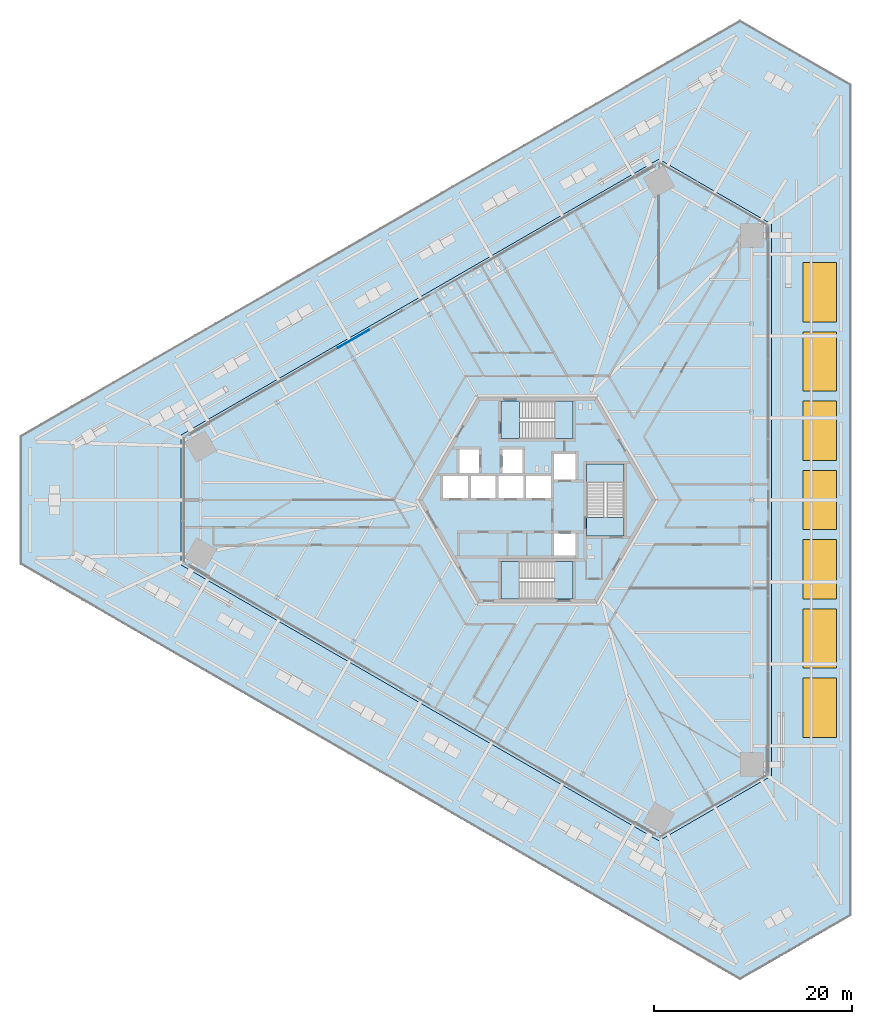
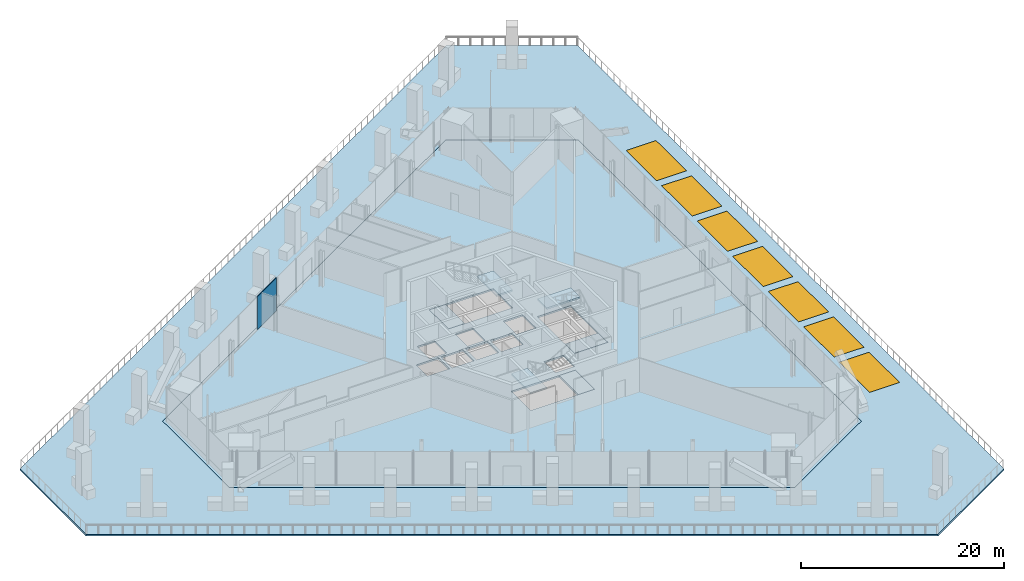
# One storey, part 22 of 38: 8 slabs, 7 windows, 1 plate, 7 openings, 4 elements without a shape of their own.
"""IFC4 building model written with IfcOpenShell, lengths in metres."""

from ifc_helpers import new_model, si_unit, direction, frame, origin, origin_2d, place, context, subcontext, project, spatial, polyline, rectangle, outline, extrude, source, transform, mapped, material, layer, layer_set, type_object, element, fill, aggregate, save


model = new_model("IFC4")

# Units and contexts
model_context = context("Model", 3, precision=1e-05, world=origin(), true_north=direction((0.0, 1.0)))
body_context = subcontext(model_context, "Body", "Model", "MODEL_VIEW")
ifc_project = project(units=[si_unit("LENGTHUNIT", "METRE"), si_unit("AREAUNIT", "SQUARE_METRE"), si_unit("VOLUMEUNIT", "CUBIC_METRE"), si_unit("PLANEANGLEUNIT", "RADIAN"), si_unit("MASSUNIT", "GRAM", prefix="KILO")], contexts=[model_context])

# Site, building, storey
site_placement = place(None, origin())
site = spatial("IfcSite", under=ifc_project, at=site_placement, CompositionType="ELEMENT")
building_placement = place(site_placement, origin())
building = spatial("IfcBuilding", under=site, at=building_placement, Name="Triune Harvest Tower", CompositionType="ELEMENT")
storey_placement = place(building_placement, frame((0.0, 0.0, 16.0)))
storey = spatial("IfcBuildingStorey", under=building, at=storey_placement, Name="L03", CompositionType="ELEMENT", Elevation=16.0)

# Slab, openings, windows
ifc_material_1 = material(Name="Concrete 40 MPa", Category="concrete")
ifc_layer_1 = layer(ifc_material_1, 0.199951171875)
ifc_layer_set_1 = layer_set([ifc_layer_1], Name="Concrete 40 MPa")
slab_type_1 = type_object("IfcSlabType", Name="TE-1 terrace slab 200", PredefinedType="FLOOR", material=ifc_layer_set_1)
slab_1_placement = place(storey_placement, frame((0.0, 0.0, -0.199951171875)))
slab_1 = element("IfcSlab", 1, at=slab_1_placement, inside=storey, type_object=slab_type_1, Name="Podium terrace slab 1", PredefinedType="FLOOR", context=body_context, shape_type="SweptSolid", body=[
    extrude(outline(polyline([(20.495849609375, -48.5), (-52.250244140625, -6.5), (-52.250244140625, 6.5), (20.495849609375, 48.5), (31.75439453125, 42.0), (31.75439453125, -42.0), (20.495849609375, -48.5)]), holes=[polyline([(23.67138671875, 27.8798828125), (12.30908203125, 34.43994140625), (-35.98046875, 6.56005859375), (-35.98046875, -6.56005859375), (12.30908203125, -34.43994140625), (23.67138671875, -27.8798828125), (23.67138671875, 27.8798828125)])]), origin(), (0.0, 0.0, 1.0), 0.199951171875),
])
opening_1_placement = place(slab_1_placement, frame((28.55419921875, -21.0, 0.0)))
opening_1 = element("IfcOpeningElement", 2, at=opening_1_placement, cuts=slab_1, Name="Opening RL-01", PredefinedType="OPENING", context=body_context, shape_type="SweptSolid", body=[
    extrude(rectangle(XDim=3.39990234375, YDim=6.0, at=origin_2d()), origin(), (0.0, 0.0, 1.0), 0.199951171875),
])
opening_2_placement = place(slab_1_placement, frame((28.55419921875, -14.0, 0.0)))
opening_2 = element("IfcOpeningElement", 3, at=opening_2_placement, cuts=slab_1, Name="Opening RL-02", PredefinedType="OPENING", context=body_context, shape_type="SweptSolid", body=[
    extrude(rectangle(XDim=3.39990234375, YDim=6.0, at=origin_2d()), origin(), (0.0, 0.0, 1.0), 0.199951171875),
])
opening_3_placement = place(slab_1_placement, frame((28.55419921875, -7.0, 0.0)))
opening_3 = element("IfcOpeningElement", 4, at=opening_3_placement, cuts=slab_1, Name="Opening RL-03", PredefinedType="OPENING", context=body_context, shape_type="SweptSolid", body=[
    extrude(rectangle(XDim=3.39990234375, YDim=6.0, at=origin_2d()), origin(), (0.0, 0.0, 1.0), 0.199951171875),
])
opening_4_placement = place(slab_1_placement, frame((28.55419921875, 0.0, 0.0)))
opening_4 = element("IfcOpeningElement", 5, at=opening_4_placement, cuts=slab_1, Name="Opening RL-04", PredefinedType="OPENING", context=body_context, shape_type="SweptSolid", body=[
    extrude(rectangle(XDim=3.39990234375, YDim=6.0, at=origin_2d()), origin(), (0.0, 0.0, 1.0), 0.199951171875),
])
opening_5_placement = place(slab_1_placement, frame((28.55419921875, 7.0, 0.0)))
opening_5 = element("IfcOpeningElement", 6, at=opening_5_placement, cuts=slab_1, Name="Opening RL-05", PredefinedType="OPENING", context=body_context, shape_type="SweptSolid", body=[
    extrude(rectangle(XDim=3.39990234375, YDim=6.0, at=origin_2d()), origin(), (0.0, 0.0, 1.0), 0.199951171875),
])
opening_6_placement = place(slab_1_placement, frame((28.55419921875, 14.0, 0.0)))
opening_6 = element("IfcOpeningElement", 7, at=opening_6_placement, cuts=slab_1, Name="Opening RL-06", PredefinedType="OPENING", context=body_context, shape_type="SweptSolid", body=[
    extrude(rectangle(XDim=3.39990234375, YDim=6.0, at=origin_2d()), origin(), (0.0, 0.0, 1.0), 0.199951171875),
])
opening_7_placement = place(slab_1_placement, frame((28.55419921875, 21.0, 0.0)))
opening_7 = element("IfcOpeningElement", 8, at=opening_7_placement, cuts=slab_1, Name="Opening RL-07", PredefinedType="OPENING", context=body_context, shape_type="SweptSolid", body=[
    extrude(rectangle(XDim=3.39990234375, YDim=6.0, at=origin_2d()), origin(), (0.0, 0.0, 1.0), 0.199951171875),
])
ifc_material_2 = material(Name="Glass", Category="glass")
window_type = type_object("IfcWindowType", Name="SK-1 rooflight", PartitioningType="SINGLE_PANEL", PredefinedType="SKYLIGHT", material=ifc_material_2)
window_1_placement = place(opening_1_placement, frame((0.0, 0.0, 0.14990234375)))
window_1 = element("IfcWindow", 9, at=window_1_placement, inside=storey, type_object=window_type, Name="Rooflight 1", OverallHeight=6.0, OverallWidth=3.39990234375, PartitioningType="SINGLE_PANEL", PredefinedType="SKYLIGHT", context=body_context, shape_type="SweptSolid", body=[
    extrude(rectangle(XDim=3.39990234375, YDim=6.0, at=origin_2d()), origin(), (0.0, 0.0, 1.0), 0.050048828125),
])
fill(opening_1, window_1)
window_2_placement = place(opening_2_placement, frame((0.0, 0.0, 0.14990234375)))
window_2 = element("IfcWindow", 10, at=window_2_placement, inside=storey, type_object=window_type, Name="Rooflight 2", OverallHeight=6.0, OverallWidth=3.39990234375, PartitioningType="SINGLE_PANEL", PredefinedType="SKYLIGHT", context=body_context, shape_type="SweptSolid", body=[
    extrude(rectangle(XDim=3.39990234375, YDim=6.0, at=origin_2d()), origin(), (0.0, 0.0, 1.0), 0.050048828125),
])
fill(opening_2, window_2)
window_3_placement = place(opening_3_placement, frame((0.0, 0.0, 0.14990234375)))
window_3 = element("IfcWindow", 11, at=window_3_placement, inside=storey, type_object=window_type, Name="Rooflight 3", OverallHeight=6.0, OverallWidth=3.39990234375, PartitioningType="SINGLE_PANEL", PredefinedType="SKYLIGHT", context=body_context, shape_type="SweptSolid", body=[
    extrude(rectangle(XDim=3.39990234375, YDim=6.0, at=origin_2d()), origin(), (0.0, 0.0, 1.0), 0.050048828125),
])
fill(opening_3, window_3)
window_4_placement = place(opening_4_placement, frame((0.0, 0.0, 0.14990234375)))
window_4 = element("IfcWindow", 12, at=window_4_placement, inside=storey, type_object=window_type, Name="Rooflight 4", OverallHeight=6.0, OverallWidth=3.39990234375, PartitioningType="SINGLE_PANEL", PredefinedType="SKYLIGHT", context=body_context, shape_type="SweptSolid", body=[
    extrude(rectangle(XDim=3.39990234375, YDim=6.0, at=origin_2d()), origin(), (0.0, 0.0, 1.0), 0.050048828125),
])
fill(opening_4, window_4)
window_5_placement = place(opening_5_placement, frame((0.0, 0.0, 0.14990234375)))
window_5 = element("IfcWindow", 13, at=window_5_placement, inside=storey, type_object=window_type, Name="Rooflight 5", OverallHeight=6.0, OverallWidth=3.39990234375, PartitioningType="SINGLE_PANEL", PredefinedType="SKYLIGHT", context=body_context, shape_type="SweptSolid", body=[
    extrude(rectangle(XDim=3.39990234375, YDim=6.0, at=origin_2d()), origin(), (0.0, 0.0, 1.0), 0.050048828125),
])
fill(opening_5, window_5)
window_6_placement = place(opening_6_placement, frame((0.0, 0.0, 0.14990234375)))
window_6 = element("IfcWindow", 14, at=window_6_placement, inside=storey, type_object=window_type, Name="Rooflight 6", OverallHeight=6.0, OverallWidth=3.39990234375, PartitioningType="SINGLE_PANEL", PredefinedType="SKYLIGHT", context=body_context, shape_type="SweptSolid", body=[
    extrude(rectangle(XDim=3.39990234375, YDim=6.0, at=origin_2d()), origin(), (0.0, 0.0, 1.0), 0.050048828125),
])
fill(opening_6, window_6)
window_7_placement = place(opening_7_placement, frame((0.0, 0.0, 0.14990234375)))
window_7 = element("IfcWindow", 15, at=window_7_placement, inside=storey, type_object=window_type, Name="Rooflight 7", OverallHeight=6.0, OverallWidth=3.39990234375, PartitioningType="SINGLE_PANEL", PredefinedType="SKYLIGHT", context=body_context, shape_type="SweptSolid", body=[
    extrude(rectangle(XDim=3.39990234375, YDim=6.0, at=origin_2d()), origin(), (0.0, 0.0, 1.0), 0.050048828125),
])
fill(opening_7, window_7)

# Slab
ifc_material_3 = material(Name="Concrete 40 MPa", Category="concrete")
ifc_layer_2 = layer(ifc_material_3, 0.199951171875)
ifc_layer_set_2 = layer_set([ifc_layer_2], Name="Concrete 40 MPa")
slab_type_2 = type_object("IfcSlabType", Name="SL-3 Composite floor slab 200", PredefinedType="FLOOR", material=ifc_layer_set_2)
shared_shape_1 = source(origin(), body_context, "Body", "SweptSolid", [
    extrude(outline(polyline([(23.67138671875, -27.8798828125), (23.67138671875, 27.8798828125), (12.30908203125, 34.43994140625), (-35.98046875, 6.56005859375), (-35.98046875, -6.56005859375), (12.30908203125, -34.43994140625), (23.67138671875, -27.8798828125)]), holes=[polyline([(-7.0, 0.2099609375), (-7.0, 2.409912109375), (-9.5, 2.409912109375), (-9.5, 0.2099609375), (-7.0, 0.2099609375)]), polyline([(-4.199951171875, 0.2099609375), (-4.199951171875, 2.409912109375), (-6.699951171875, 2.409912109375), (-6.699951171875, 0.2099609375), (-4.199951171875, 0.2099609375)]), polyline([(-1.39990234375, 0.2099609375), (-1.39990234375, 2.409912109375), (-3.89990234375, 2.409912109375), (-3.89990234375, 0.2099609375), (-1.39990234375, 0.2099609375)]), polyline([(1.39990234375, 0.2099609375), (1.39990234375, 2.409912109375), (-1.10009765625, 2.409912109375), (-1.10009765625, 0.2099609375), (1.39990234375, 0.2099609375)]), polyline([(3.89990234375, 2.06005859375), (3.89990234375, 4.659912109375), (1.699951171875, 4.659912109375), (1.699951171875, 2.06005859375), (3.89990234375, 2.06005859375)]), polyline([(3.89990234375, -5.590087890625), (3.89990234375, -3.389892578125), (1.699951171875, -3.389892578125), (1.699951171875, -5.590087890625), (3.89990234375, -5.590087890625)]), polyline([(-5.85009765625, 2.7099609375), (-5.85009765625, 5.110107421875), (-7.85009765625, 5.110107421875), (-7.85009765625, 2.7099609375), (-5.85009765625, 2.7099609375)]), polyline([(-1.5, 2.7099609375), (-1.5, 5.110107421875), (-3.5, 5.110107421875), (-3.5, 2.7099609375), (-1.5, 2.7099609375)]), polyline([(3.64990234375, 6.18994140625), (3.64990234375, 9.989990234375), (-3.64990234375, 9.989990234375), (-3.64990234375, 6.18994140625), (3.64990234375, 6.18994140625)]), polyline([(3.64990234375, -9.989990234375), (3.64990234375, -6.18994140625), (-3.64990234375, -6.18994140625), (-3.64990234375, -9.989990234375), (3.64990234375, -9.989990234375)]), polyline([(8.800048828125, -3.64990234375), (8.800048828125, 3.64990234375), (5.0, 3.64990234375), (5.0, -3.64990234375), (8.800048828125, -3.64990234375)])]), origin(), (0.0, 0.0, 1.0), 0.199951171875),
])
slab_2_placement = place(storey_placement, frame((0.0, 0.0, -0.199951171875)))
element("IfcSlab", 16, at=slab_2_placement, inside=storey, type_object=slab_type_2, Name="slab/L03/1", PredefinedType="FLOOR", context=body_context, shape_type="MappedRepresentation", body=[
    mapped(shared_shape_1, transform((0.0, 0.0, 0.0), scale=1.0)),
])

# Stair, slabs
ifc_material_4 = material(Name="Concrete 40 MPa", Category="concrete")
stair_type = type_object("IfcStairType", Name="Exit stair 1800 half turn", PredefinedType="HALF_TURN_STAIR", material=ifc_material_4)
stair_1_placement = place(storey_placement, origin())
stair_1 = element("IfcStair", 17, at=stair_1_placement, inside=storey, type_object=stair_type, Name="Exit stair north", PredefinedType="HALF_TURN_STAIR")
ifc_material_5 = material(Name="Concrete 40 MPa", Category="concrete")
ifc_layer_3 = layer(ifc_material_5, 0.199951171875)
ifc_layer_set_3 = layer_set([ifc_layer_3], Name="Concrete 40 MPa")
slab_type_3 = type_object("IfcSlabType", Name="Stair landing 200", PredefinedType="LANDING", material=ifc_layer_set_3)
shared_shape_2 = source(origin(), body_context, "Body", "SweptSolid", [
    extrude(outline(polyline([(-3.64990234375, 6.18994140625), (-1.780029296875, 6.18994140625), (-1.780029296875, 9.989990234375), (-3.64990234375, 9.989990234375), (-3.64990234375, 6.18994140625)])), origin(), (0.0, 0.0, 1.0), 0.199951171875),
])
slab_3_placement = place(storey_placement, frame((0.0, 0.0, -0.199951171875)))
slab_3 = element("IfcSlab", 18, at=slab_3_placement, type_object=slab_type_3, Name="ST-1 landing 1", PredefinedType="LANDING", context=body_context, shape_type="MappedRepresentation", body=[
    mapped(shared_shape_2, transform((0.0, 0.0, 0.0), scale=1.0)),
])
shared_shape_3 = source(origin(), body_context, "Body", "SweptSolid", [
    extrude(outline(polyline([(1.81005859375, 6.18994140625), (3.64990234375, 6.18994140625), (3.64990234375, 9.989990234375), (1.81005859375, 9.989990234375), (1.81005859375, 6.18994140625)])), origin(), (0.0, 0.0, 1.0), 0.199951171875),
])
slab_4_placement = place(storey_placement, frame((0.0, 0.0, 1.949951171875)))
slab_4 = element("IfcSlab", 19, at=slab_4_placement, type_object=slab_type_3, Name="ST-1 landing 2", PredefinedType="LANDING", context=body_context, shape_type="MappedRepresentation", body=[
    mapped(shared_shape_3, transform((0.0, 0.0, 0.0), scale=1.0)),
])
aggregate(stair_1, [slab_3, slab_4])

stair_2_placement = place(storey_placement, origin())
stair_2 = element("IfcStair", 20, at=stair_2_placement, inside=storey, type_object=stair_type, Name="Exit stair south", PredefinedType="HALF_TURN_STAIR")
shared_shape_4 = source(origin(), body_context, "Body", "SweptSolid", [
    extrude(outline(polyline([(3.64990234375, -6.18994140625), (1.780029296875, -6.18994140625), (1.780029296875, -9.989990234375), (3.64990234375, -9.989990234375), (3.64990234375, -6.18994140625)])), origin(), (0.0, 0.0, 1.0), 0.199951171875),
])
slab_5_placement = place(storey_placement, frame((0.0, 0.0, -0.199951171875)))
slab_5 = element("IfcSlab", 21, at=slab_5_placement, type_object=slab_type_3, Name="ST-2 landing 1", PredefinedType="LANDING", context=body_context, shape_type="MappedRepresentation", body=[
    mapped(shared_shape_4, transform((0.0, 0.0, 0.0), scale=1.0)),
])
shared_shape_5 = source(origin(), body_context, "Body", "SweptSolid", [
    extrude(outline(polyline([(-1.81005859375, -6.18994140625), (-3.64990234375, -6.18994140625), (-3.64990234375, -9.989990234375), (-1.81005859375, -9.989990234375), (-1.81005859375, -6.18994140625)])), origin(), (0.0, 0.0, 1.0), 0.199951171875),
])
slab_6_placement = place(storey_placement, frame((0.0, 0.0, 1.949951171875)))
slab_6 = element("IfcSlab", 22, at=slab_6_placement, type_object=slab_type_3, Name="ST-2 landing 2", PredefinedType="LANDING", context=body_context, shape_type="MappedRepresentation", body=[
    mapped(shared_shape_5, transform((0.0, 0.0, 0.0), scale=1.0)),
])
aggregate(stair_2, [slab_5, slab_6])

stair_3_placement = place(storey_placement, origin())
stair_3 = element("IfcStair", 23, at=stair_3_placement, inside=storey, type_object=stair_type, Name="Exit stair east", PredefinedType="HALF_TURN_STAIR")
shared_shape_6 = source(origin(), body_context, "Body", "SweptSolid", [
    extrude(outline(polyline([(8.800048828125, -3.64990234375), (8.800048828125, -1.780029296875), (5.0, -1.780029296875), (5.0, -3.64990234375), (8.800048828125, -3.64990234375)])), origin(), (0.0, 0.0, 1.0), 0.199951171875),
])
slab_7_placement = place(storey_placement, frame((0.0, 0.0, -0.199951171875)))
slab_7 = element("IfcSlab", 24, at=slab_7_placement, type_object=slab_type_3, Name="ST-3 landing 1", PredefinedType="LANDING", context=body_context, shape_type="MappedRepresentation", body=[
    mapped(shared_shape_6, transform((0.0, 0.0, 0.0), scale=1.0)),
])
shared_shape_7 = source(origin(), body_context, "Body", "SweptSolid", [
    extrude(outline(polyline([(8.800048828125, 1.81005859375), (8.800048828125, 3.64990234375), (5.0, 3.64990234375), (5.0, 1.81005859375), (8.800048828125, 1.81005859375)])), origin(), (0.0, 0.0, 1.0), 0.199951171875),
])
slab_8_placement = place(storey_placement, frame((0.0, 0.0, 1.949951171875)))
slab_8 = element("IfcSlab", 25, at=slab_8_placement, type_object=slab_type_3, Name="ST-3 landing 2", PredefinedType="LANDING", context=body_context, shape_type="MappedRepresentation", body=[
    mapped(shared_shape_7, transform((0.0, 0.0, 0.0), scale=1.0)),
])
aggregate(stair_3, [slab_7, slab_8])

# Curtain wall, plate
ifc_material_6 = material(Name="Aluminium bronze anodised", Category="aluminium")
curtain_wall_type = type_object("IfcCurtainWallType", Name="CW-10 Balcony window wall with insulated spandrel infill", PredefinedType="NOTDEFINED", material=ifc_material_6)
curtain_wall_placement = place(storey_placement, origin())
curtain_wall = element("IfcCurtainWall", 26, at=curtain_wall_placement, inside=storey, type_object=curtain_wall_type, Name="CW-10 B1-F3 L03 run 1002")
ifc_material_7 = material(Name="Insulated spandrel panel, bronze aluminium pan", Category="aluminium")
ifc_layer_4 = layer(ifc_material_7, 0.080078125)
ifc_layer_set_4 = layer_set([ifc_layer_4], Name="Insulated spandrel panel, bronze aluminium pan")
plate_type = type_object("IfcPlateType", Name="SP-1 insulated spandrel panel 80", PredefinedType="CURTAIN_PANEL", material=ifc_layer_set_4)
shared_shape_8 = source(origin(), body_context, "Body", "SweptSolid", [
    extrude(rectangle(XDim=3.72314453125, YDim=0.080078125, at=origin_2d()), origin(), (0.0, 0.0, 1.0), 3.949951171875),
])
plate_placement = place(storey_placement, frame((-18.498046875, 16.30712890625, 0.14990234375), z_axis=(0.0, 0.0, 1.0), x_axis=(-0.866023275828, -0.500003685711, 0.0)))
plate = element("IfcPlate", 27, at=plate_placement, type_object=plate_type, Name="CW-10 panel B1-F3 1002.1", PredefinedType="CURTAIN_PANEL", context=body_context, shape_type="MappedRepresentation", body=[
    mapped(shared_shape_8, transform((0.0, 0.0, 0.0), scale=1.0)),
])
aggregate(curtain_wall, [plate])

save(model, "model.ifc")
